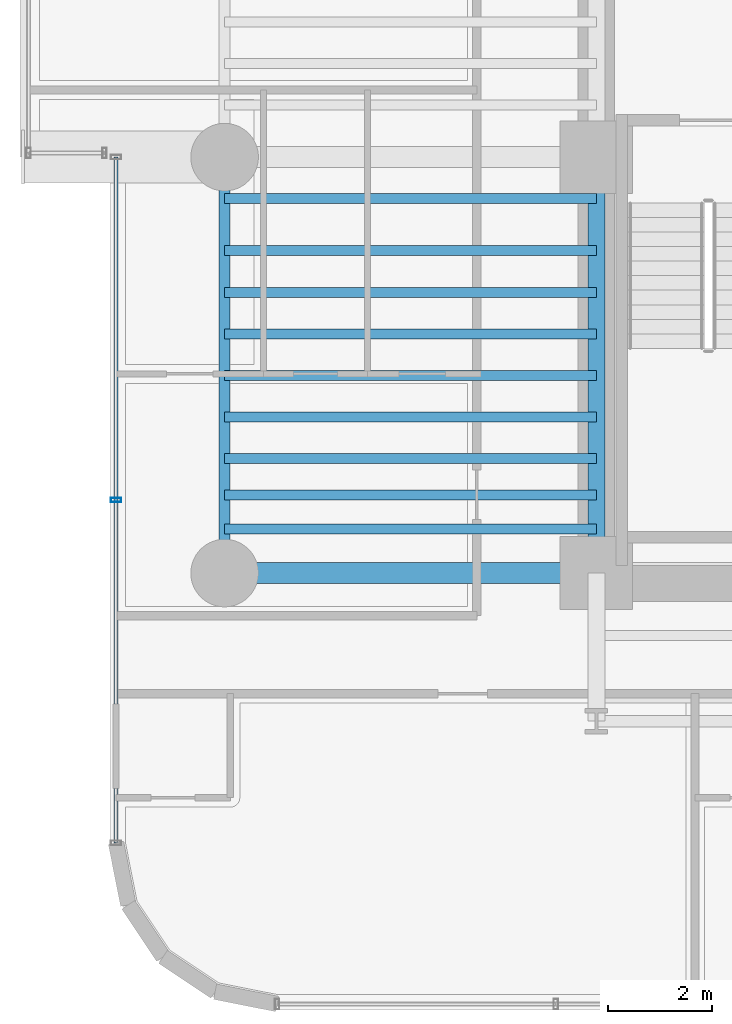
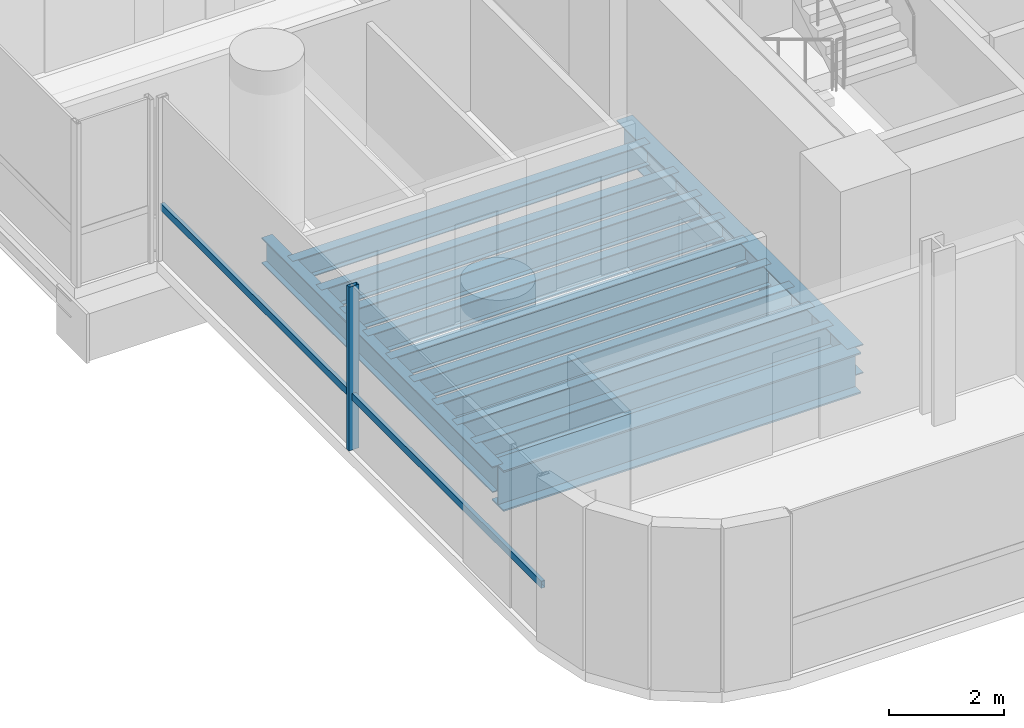
# One storey, part 4 of 40: 12 beams, 2 members, 1 element without a shape of its own.
"""IFC4 building model written with IfcOpenShell, lengths in metres."""

import ifcopenshell
import ifcopenshell.guid

model = None  # the IFC model being written
_history = None  # IfcOwnerHistory: only IFC2X3 demands one
_inside = {}  # id of a spatial element -> (the spatial element, [elements in it])
_under = {}  # id of a project, library or spatial element -> (it, [spatial elements below it])
_declared = {}  # id of a project -> (the project, [libraries it declares])
_typed = {}  # id of a type object -> (the type object, [elements of that type])
_made_of = {}  # id of a material, layer set ... -> (it, [elements and type objects made of it])


def new_model(schema):
    """Start an empty IFC model of exactly this schema.

    Asked for "IFC4X3", IfcOpenShell would pick the latest addendum, in which some entities
    have other attributes; the version numbers below select the first issue.
    IFC2X3 requires an IfcOwnerHistory on every rooted entity: one is made here for all.
    """
    global model, _history
    if schema == "IFC4X3":
        model = ifcopenshell.file(schema_version=(4, 3, 0, 0))
    else:
        model = ifcopenshell.file(schema=schema)
    _inside.clear()
    _under.clear()
    _declared.clear()
    _typed.clear()
    _made_of.clear()
    _history = None
    if model.schema == "IFC2X3":
        org = make("IfcOrganization", Name="unknown")
        user = make(
            "IfcPersonAndOrganization",
            ThePerson=make("IfcPerson", FamilyName="unknown"),
            TheOrganization=org,
        )
        app = make(
            "IfcApplication",
            ApplicationDeveloper=org,
            Version="unknown",
            ApplicationFullName="unknown",
            ApplicationIdentifier="unknown",
        )
        _history = make(
            "IfcOwnerHistory",
            OwningUser=user,
            OwningApplication=app,
            ChangeAction="ADDED",
            CreationDate=0,
        )
    return model


def make(cls, **values):
    """One entity of the class cls with the attributes given. An attribute that is None is left unset."""
    return model.create_entity(
        cls, **{name: value for name, value in values.items() if value is not None}
    )


def rooted(cls, **values):
    """An entity with a GlobalId (a new one), such as an element, a storey or a relation."""
    return make(cls, GlobalId=ifcopenshell.guid.new(), OwnerHistory=_history, **values)


def si_unit(unit_type, name, prefix=None):
    """IfcSIUnit, for example si_unit("LENGTHUNIT", "METRE", prefix="MILLI")."""
    return make("IfcSIUnit", UnitType=unit_type, Prefix=prefix, Name=name)


def assignment(units):
    """IfcUnitAssignment: the units of a project."""
    return None if units is None else make("IfcUnitAssignment", Units=units)


def point(xyz):
    """IfcCartesianPoint."""
    return None if xyz is None else make("IfcCartesianPoint", Coordinates=xyz)


def direction(xyz):
    """IfcDirection."""
    return None if xyz is None else make("IfcDirection", DirectionRatios=xyz)


def frame(location, z_axis=None, x_axis=None):
    """IfcAxis2Placement3D, a coordinate frame: its origin and axes. An axis left out is left unset."""
    return make(
        "IfcAxis2Placement3D",
        Location=point(location),
        Axis=direction(z_axis),
        RefDirection=direction(x_axis),
    )


def frame_2d(location, x_axis=None):
    """IfcAxis2Placement2D, a coordinate frame in the plane: its origin and x axis."""
    return make(
        "IfcAxis2Placement2D", Location=point(location), RefDirection=direction(x_axis)
    )


def origin():
    """The frame at (0, 0, 0) with its axes left unset."""
    return frame((0.0, 0.0, 0.0))


def origin_2d():
    """The frame at (0, 0) in the plane with its x axis left unset."""
    return frame_2d((0.0, 0.0))


def place(relative_to, where):
    """IfcLocalPlacement: puts the frame where relative to a parent placement (None: the world)."""
    return make(
        "IfcLocalPlacement", PlacementRelTo=relative_to, RelativePlacement=where
    )


def context(
    kind, dimensions, precision=None, world=None, true_north=None, identifier=None
):
    """IfcGeometricRepresentationContext, for example the 3D "Model" context."""
    return make(
        "IfcGeometricRepresentationContext",
        ContextIdentifier=identifier,
        ContextType=kind,
        CoordinateSpaceDimension=dimensions,
        Precision=precision,
        WorldCoordinateSystem=world,
        TrueNorth=true_north,
    )


def subcontext(parent, identifier, kind, view, scale=None):
    """IfcGeometricRepresentationSubContext, for example "Body" below "Model"."""
    return make(
        "IfcGeometricRepresentationSubContext",
        ContextIdentifier=identifier,
        ContextType=kind,
        ParentContext=parent,
        TargetScale=scale,
        TargetView=view,
    )


def project(units=None, contexts=None):
    """IfcProject with its units and contexts."""
    return rooted(
        "IfcProject",
        Name="project",
        RepresentationContexts=contexts,
        UnitsInContext=assignment(units),
    )


def spatial(cls, under=None, at=None, **own):
    """A site, building, storey or space (cls), placed at a placement, below another one or the project."""
    s = rooted(cls, ObjectPlacement=at, **own)
    if under is not None:
        _under.setdefault(under.id(), (under, []))[1].append(s)
    return s


def profile(cls, at=None, kind="AREA", **sizes):
    """A parametric profile (cls). Its sizes go by their IFC names, for example OverallWidth=200.0."""
    return make(cls, ProfileType=kind, Position=at, **sizes)


def hollow_rectangle(**sizes):
    """IfcRectangleHollowProfileDef."""
    return profile("IfcRectangleHollowProfileDef", **sizes)


def i_section(**sizes):
    """IfcIShapeProfileDef."""
    return profile("IfcIShapeProfileDef", **sizes)


def extrude(swept, where, along, depth):
    """IfcExtrudedAreaSolid: the profile swept, set in the frame where, extruded along a direction by depth."""
    return make(
        "IfcExtrudedAreaSolid",
        SweptArea=swept,
        Position=where,
        ExtrudedDirection=direction(along),
        Depth=depth,
    )


def shape(context_of_items, identifier, shape_type, items):
    """IfcShapeRepresentation: the items that make up one representation, for example the "Body"."""
    return make(
        "IfcShapeRepresentation",
        ContextOfItems=context_of_items,
        RepresentationIdentifier=identifier,
        RepresentationType=shape_type,
        Items=items,
    )


def source(mapping_origin, context_of_items, identifier, shape_type, items):
    """IfcRepresentationMap: a shape defined once, which mapped items show again and again."""
    return make(
        "IfcRepresentationMap",
        MappingOrigin=mapping_origin,
        MappedRepresentation=shape(context_of_items, identifier, shape_type, items),
    )


def transform(
    local_origin,
    x_axis=None,
    y_axis=None,
    z_axis=None,
    scale=None,
    scale2=None,
    scale3=None,
    uniform=True,
):
    """IfcCartesianTransformationOperator3D, or its non-uniform kind. x_axis, y_axis, z_axis: its Axis1, 2, 3."""
    if uniform:
        return make(
            "IfcCartesianTransformationOperator3D",
            Axis1=direction(x_axis),
            Axis2=direction(y_axis),
            LocalOrigin=point(local_origin),
            Scale=scale,
            Axis3=direction(z_axis),
        )
    return make(
        "IfcCartesianTransformationOperator3DnonUniform",
        Axis1=direction(x_axis),
        Axis2=direction(y_axis),
        LocalOrigin=point(local_origin),
        Scale=scale,
        Axis3=direction(z_axis),
        Scale2=scale2,
        Scale3=scale3,
    )


def mapped(mapping_source, mapping_target):
    """IfcMappedItem: shows the shape of a source again, moved by a transform."""
    return make(
        "IfcMappedItem", MappingSource=mapping_source, MappingTarget=mapping_target
    )


def material(Name=None, Category=None):
    """IfcMaterial."""
    return make("IfcMaterial", Name=Name, Category=Category)


def material_profile(
    of_material, cross_section, Name=None, Category=None, Priority=None
):
    """IfcMaterialProfile: a cross section and its material."""
    return make(
        "IfcMaterialProfile",
        Name=Name,
        Material=of_material,
        Profile=cross_section,
        Priority=Priority,
        Category=Category,
    )


def profile_set(profiles, Name=None, composite=None):
    """IfcMaterialProfileSet."""
    return make(
        "IfcMaterialProfileSet",
        Name=Name,
        MaterialProfiles=profiles,
        CompositeProfile=composite,
    )


def made_of(thing, what):
    """Note that an element or type object is made of a material, layer set ...; save() writes the relation."""
    if what is not None:
        _made_of.setdefault(what.id(), (what, []))[1].append(thing)
    return thing


def type_object(cls, material=None, **own):
    """A type object (cls), such as IfcWallType, which elements share."""
    return made_of(rooted(cls, **own), material)


def element(
    cls,
    number,
    at=None,
    inside=None,
    cuts=None,
    type_object=None,
    material=None,
    context=None,
    identifier="Body",
    shape_type=None,
    held_by="IfcProductDefinitionShape",
    body=None,
    shapes=None,
    **own,
):
    """One element of the class cls, such as IfcWall. Its Tag is "e" and its number.

    at: its placement. inside: the storey or other place that contains it. cuts: it is an
    opening in that element (IfcRelVoidsElement). A single representation is given by context,
    identifier, shape_type and body (its items); several are given by shapes. held_by: the class
    of the entity that holds the representations. save() writes the other relations.
    """
    e = rooted(cls, Tag="e%d" % number, ObjectPlacement=at, **own)
    if body is not None:
        shapes = [shape(context, identifier, shape_type, body)]
    if shapes is not None:
        e.Representation = make(held_by, Representations=shapes)
    if inside is not None:
        _inside.setdefault(inside.id(), (inside, []))[1].append(e)
    if cuts is not None:
        rooted(
            "IfcRelVoidsElement", RelatingBuildingElement=cuts, RelatedOpeningElement=e
        )
    if type_object is not None:
        _typed.setdefault(type_object.id(), (type_object, []))[1].append(e)
    return made_of(e, material)


def aggregate(whole, parts):
    """IfcRelAggregates: a whole, such as a stair, and the parts it consists of."""
    return rooted("IfcRelAggregates", RelatingObject=whole, RelatedObjects=parts)


def save(model, path):
    """Write the relations noted so far, then the file.

    IfcRelAggregates (storeys below a building ...), IfcRelContainedInSpatialStructure (elements
    in a storey), IfcRelDefinesByType, IfcRelAssociatesMaterial and IfcRelDeclares: one each for
    every whole, place, type object, material and project.
    """
    for whole, parts in _under.values():
        aggregate(whole, parts)
    for where, things in _inside.values():
        rooted(
            "IfcRelContainedInSpatialStructure",
            RelatedElements=things,
            RelatingStructure=where,
        )
    for kind, things in _typed.values():
        rooted("IfcRelDefinesByType", RelatedObjects=things, RelatingType=kind)
    for what, things in _made_of.values():
        rooted("IfcRelAssociatesMaterial", RelatedObjects=things, RelatingMaterial=what)
    for by, libraries in _declared.values():
        rooted("IfcRelDeclares", RelatingContext=by, RelatedDefinitions=libraries)
    model.write(path)


model = new_model("IFC4")

# Units and contexts
model_context = context("Model", 3, precision=1e-05, world=origin(), true_north=direction((0.0, 1.0)))
body_context = subcontext(model_context, "Body", "Model", "MODEL_VIEW")
ifc_project = project(units=[si_unit("LENGTHUNIT", "METRE"), si_unit("AREAUNIT", "SQUARE_METRE"), si_unit("VOLUMEUNIT", "CUBIC_METRE"), si_unit("PLANEANGLEUNIT", "RADIAN"), si_unit("MASSUNIT", "GRAM", prefix="KILO")], contexts=[model_context])

# Site, building, storey
site_placement = place(None, origin())
site = spatial("IfcSite", under=ifc_project, at=site_placement, CompositionType="ELEMENT")
building_placement = place(site_placement, origin())
building = spatial("IfcBuilding", under=site, at=building_placement, Name="Valdorenza Pilgrim Sanctuary Tower", CompositionType="ELEMENT")
storey_placement = place(building_placement, frame((0.0, 0.0, 40.800048828125)))
storey = spatial("IfcBuildingStorey", under=building, at=storey_placement, Name="L09", CompositionType="ELEMENT", Elevation=40.800048828125)

# Beams
ifc_material_1 = material(Name="Steel ASTM A992 Grade 50", Category="steel")
ifc_material_profile_1 = material_profile(ifc_material_1, i_section(OverallWidth=0.214111328125, OverallDepth=0.549072265625, WebThickness=0.0146484375, FlangeThickness=0.023681640625, at=origin_2d()), Name="W21X93")
ifc_profile_set_1 = profile_set([ifc_material_profile_1], Name="Steel ASTM A992 Grade 50")
beam_type_1 = type_object("IfcBeamType", Name="STR-BM-SPN-W21A", PredefinedType="SPANDREL", material=ifc_profile_set_1)
shared_shape_1 = source(origin(), body_context, "Body", "SweptSolid", [
    extrude(i_section(OverallWidth=0.214111328125, OverallDepth=0.549072265625, WebThickness=0.0146484375, FlangeThickness=0.023681640625, at=origin_2d()), origin(), (0.0, 0.0, 1.0), 8.0),
])
beam_1_placement = place(storey_placement, frame((-29.800048828125, -10.60009765625, -0.5146484375), z_axis=(0.0, 1.0, 0.0), x_axis=(-1.0, 0.0, 0.0)))
element("IfcBeam", 1, at=beam_1_placement, inside=storey, type_object=beam_type_1, Name="L09 Spandrel Beam WA-W-S1M0", PredefinedType="SPANDREL", context=body_context, shape_type="MappedRepresentation", body=[
    mapped(shared_shape_1, transform((0.0, 0.0, 0.0), x_axis=(1.0, 0.0, 0.0), y_axis=(0.0, 1.0, 0.0), z_axis=(0.0, 0.0, 1.0), scale=1.0)),
])
ifc_material_profile_2 = material_profile(ifc_material_1, i_section(OverallWidth=0.323974609375, OverallDepth=0.611083984375, WebThickness=0.0126953125, FlangeThickness=0.01904296875, at=origin_2d()), Name="W24X104")
ifc_profile_set_2 = profile_set([ifc_material_profile_2], Name="Steel ASTM A992 Grade 50")
beam_type_2 = type_object("IfcBeamType", Name="STR-BM-GRD-W24B", PredefinedType="BEAM", material=ifc_profile_set_2)
shared_shape_2 = source(origin(), body_context, "Body", "SweptSolid", [
    extrude(i_section(OverallWidth=0.323974609375, OverallDepth=0.611083984375, WebThickness=0.0126953125, FlangeThickness=0.01904296875, at=origin_2d()), origin(), (0.0, 0.0, 1.0), 8.0),
])
beam_2_placement = place(storey_placement, frame((-22.64990234375, -10.60009765625, -0.545654296875), z_axis=(0.0, 1.0, 0.0), x_axis=(-1.0, 0.0, 0.0)))
element("IfcBeam", 2, at=beam_2_placement, inside=storey, type_object=beam_type_2, Name="L09 Core Tie Girder CA-W-S1M0", PredefinedType="BEAM", context=body_context, shape_type="MappedRepresentation", body=[
    mapped(shared_shape_2, transform((0.0, 0.0, 0.0), x_axis=(1.0, 0.0, 0.0), y_axis=(0.0, 1.0, 0.0), z_axis=(0.0, 0.0, 1.0), scale=1.0)),
])
ifc_material_profile_3 = material_profile(ifc_material_1, i_section(OverallWidth=0.193115234375, OverallDepth=0.466064453125, WebThickness=0.011474609375, FlangeThickness=0.01904296875, at=origin_2d()), Name="W18X65")
ifc_profile_set_3 = profile_set([ifc_material_profile_3], Name="Steel ASTM A992 Grade 50")
beam_type_3 = type_object("IfcBeamType", Name="STR-BM-JST-W18A", PredefinedType="JOIST", material=ifc_profile_set_3)
shared_shape_3 = source(origin(), body_context, "Body", "SweptSolid", [
    extrude(i_section(OverallWidth=0.193115234375, OverallDepth=0.466064453125, WebThickness=0.011474609375, FlangeThickness=0.01904296875, at=origin_2d()), origin(), (0.0, 0.0, 1.0), 7.150146484375),
])
for number, where, z_axis, x_axis, name in (
    (3, (-29.800048828125, -9.75, -0.47314453125), (1.0, 0.0, 0.0), (0.0, 1.0, 0.0), "L09 Composite Floor Joist JST-WA-1"),
    (4, (-29.800048828125, -9.10009765625, -0.47314453125), (1.0, 0.0, 0.0), (0.0, 1.0, 0.0), "L09 Composite Floor Joist JST-WA-2"),
    (5, (-29.800048828125, -8.39990234375, -0.47314453125), (1.0, 0.0, 0.0), (0.0, 1.0, 0.0), "L09 Composite Floor Joist JST-WA-3"),
    (6, (-29.800048828125, -7.60009765625, -0.47314453125), (1.0, 0.0, 0.0), (0.0, 1.0, 0.0), "L09 Composite Floor Joist JST-WA-4"),
    (7, (-29.800048828125, -6.800048828125, -0.47314453125), (1.0, 0.0, 0.0), (0.0, 1.0, 0.0), "L09 Composite Floor Joist JST-WA-5"),
    (8, (-29.800048828125, -6.0, -0.47314453125), (1.0, 0.0, 0.0), (0.0, 1.0, 0.0), "L09 Composite Floor Joist JST-WA-6"),
    (9, (-29.800048828125, -5.199951171875, -0.47314453125), (1.0, 0.0, 0.0), (0.0, 1.0, 0.0), "L09 Composite Floor Joist JST-WA-7"),
    (10, (-29.800048828125, -4.39990234375, -0.47314453125), (1.0, 0.0, 0.0), (0.0, 1.0, 0.0), "L09 Composite Floor Joist JST-WA-8"),
    (11, (-29.800048828125, -3.39990234375, -0.47314453125), (1.0, 0.0, 0.0), (0.0, 1.0, 0.0), "L09 Composite Floor Joist JST-WA-9"),
):
    element("IfcBeam", number, at=place(storey_placement, frame(where, z_axis=z_axis, x_axis=x_axis)), inside=storey, type_object=beam_type_3, Name=name, PredefinedType="JOIST", context=body_context, shape_type="MappedRepresentation", body=[
        mapped(shared_shape_3, transform((0.0, 0.0, 0.0), x_axis=(1.0, 0.0, 0.0), y_axis=(0.0, 1.0, 0.0), z_axis=(0.0, 0.0, 1.0), scale=1.0)),
    ])
ifc_material_profile_4 = material_profile(ifc_material_1, i_section(OverallWidth=0.39990234375, OverallDepth=0.862060546875, WebThickness=0.019775390625, FlangeThickness=0.032470703125, at=origin_2d()), Name="W33X221")
ifc_profile_set_4 = profile_set([ifc_material_profile_4], Name="Steel ASTM A992 Grade 50")
beam_type_4 = type_object("IfcBeamType", Name="STR-BM-GRD-W33", PredefinedType="BEAM", material=ifc_profile_set_4)
shared_shape_4 = source(origin(), body_context, "Body", "SweptSolid", [
    extrude(i_section(OverallWidth=0.39990234375, OverallDepth=0.862060546875, WebThickness=0.019775390625, FlangeThickness=0.032470703125, at=origin_2d()), origin(), (0.0, 0.0, 1.0), 7.150146484375),
])
beam_3_placement = place(storey_placement, frame((-29.800048828125, -10.60009765625, -0.671142578125), z_axis=(1.0, 0.0, 0.0), x_axis=(0.0, 1.0, 0.0)))
element("IfcBeam", 12, at=beam_3_placement, inside=storey, type_object=beam_type_4, Name="L09 Floor Girder WA-XW-S1", PredefinedType="BEAM", context=body_context, shape_type="MappedRepresentation", body=[
    mapped(shared_shape_4, transform((0.0, 0.0, 0.0), x_axis=(1.0, 0.0, 0.0), y_axis=(0.0, 1.0, 0.0), z_axis=(0.0, 0.0, 1.0), scale=1.0)),
])

# Curtain wall, members
ifc_material_2 = material(Name="Curtain-wall IGU glazing", Category="glass")
curtain_wall_type = type_object("IfcCurtainWallType", Name="CW-SYS-02", PredefinedType="NOTDEFINED", material=ifc_material_2)
curtain_wall_placement = place(storey_placement, origin())
curtain_wall = element("IfcCurtainWall", 13, at=curtain_wall_placement, inside=storey, type_object=curtain_wall_type, Name="L09 Curtain Wall CW-L09-1-1S1", PredefinedType="NOTDEFINED")
ifc_material_3 = material(Name="Anodised aluminium AW-6060", Category="aluminium")
ifc_material_profile_5 = material_profile(ifc_material_3, hollow_rectangle(XDim=0.0849609375, YDim=0.199951171875, WallThickness=0.0048828125, at=origin_2d()), Name="ALU-M 200x85x5")
ifc_profile_set_5 = profile_set([ifc_material_profile_5], Name="Anodised aluminium AW-6060")
member_type_1 = type_object("IfcMemberType", Name="CW-MUL-02", PredefinedType="MULLION", material=ifc_profile_set_5)
shared_shape_5 = source(origin(), body_context, "Body", "SweptSolid", [
    extrude(hollow_rectangle(XDim=0.0849609375, YDim=0.199951171875, WallThickness=0.0048828125, at=origin_2d()), origin(), (0.0, 0.0, 1.0), 3.4599609375),
])
member_1_placement = place(storey_placement, frame((-31.889892578125, -9.194580078125, 0.0), z_axis=(0.0, 0.0, 1.0), x_axis=(0.0, 1.0, 0.0)))
member_1 = element("IfcMember", 14, at=member_1_placement, type_object=member_type_1, Name="CW-L09-1-1S1 Mullion 2", PredefinedType="MULLION", context=body_context, shape_type="MappedRepresentation", body=[
    mapped(shared_shape_5, transform((0.0, 0.0, 0.0), x_axis=(1.0, 0.0, 0.0), y_axis=(0.0, 1.0, 0.0), z_axis=(0.0, 0.0, 1.0), scale=1.0)),
])
ifc_material_profile_6 = material_profile(ifc_material_3, hollow_rectangle(XDim=0.074951171875, YDim=0.14990234375, WallThickness=0.00390625, at=origin_2d()), Name="ALU-T 150x75x4")
ifc_profile_set_6 = profile_set([ifc_material_profile_6], Name="Anodised aluminium AW-6060")
member_type_2 = type_object("IfcMemberType", Name="CW-TRN-02", PredefinedType="USERDEFINED", material=ifc_profile_set_6)
shared_shape_6 = source(origin(), body_context, "Body", "SweptSolid", [
    extrude(hollow_rectangle(XDim=0.074951171875, YDim=0.14990234375, WallThickness=0.00390625, at=origin_2d()), origin(), (0.0, 0.0, 1.0), 13.189208984375),
])
member_2_placement = place(storey_placement, frame((-31.889892578125, -15.789306640625, 1.119873046875), z_axis=(0.0, 1.0, 0.0), x_axis=(-1.0, 0.0, 0.0)))
member_2 = element("IfcMember", 15, at=member_2_placement, type_object=member_type_2, Name="CW-L09-1-1S1 Transom 1", ObjectType="TRANSOM", PredefinedType="USERDEFINED", context=body_context, shape_type="MappedRepresentation", body=[
    mapped(shared_shape_6, transform((0.0, 0.0, 0.0), x_axis=(1.0, 0.0, 0.0), y_axis=(0.0, 1.0, 0.0), z_axis=(0.0, 0.0, 1.0), scale=1.0)),
])
aggregate(curtain_wall, [member_1, member_2])

save(model, "model.ifc")
